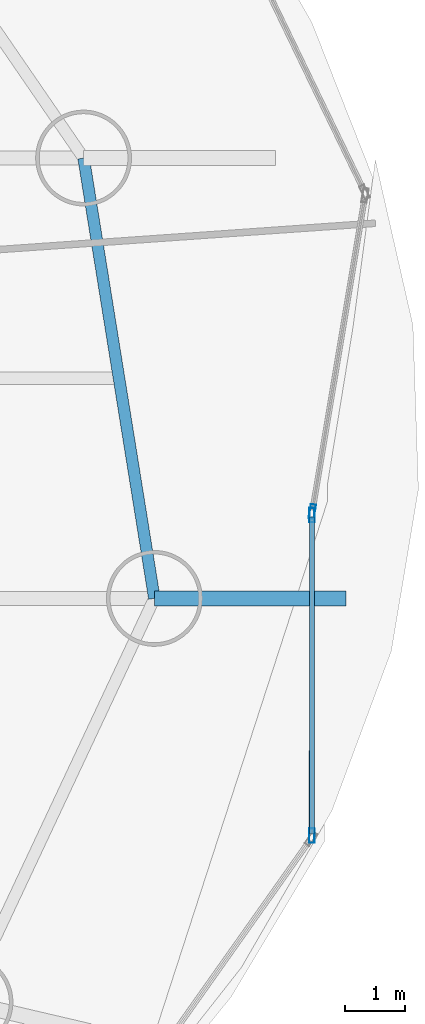
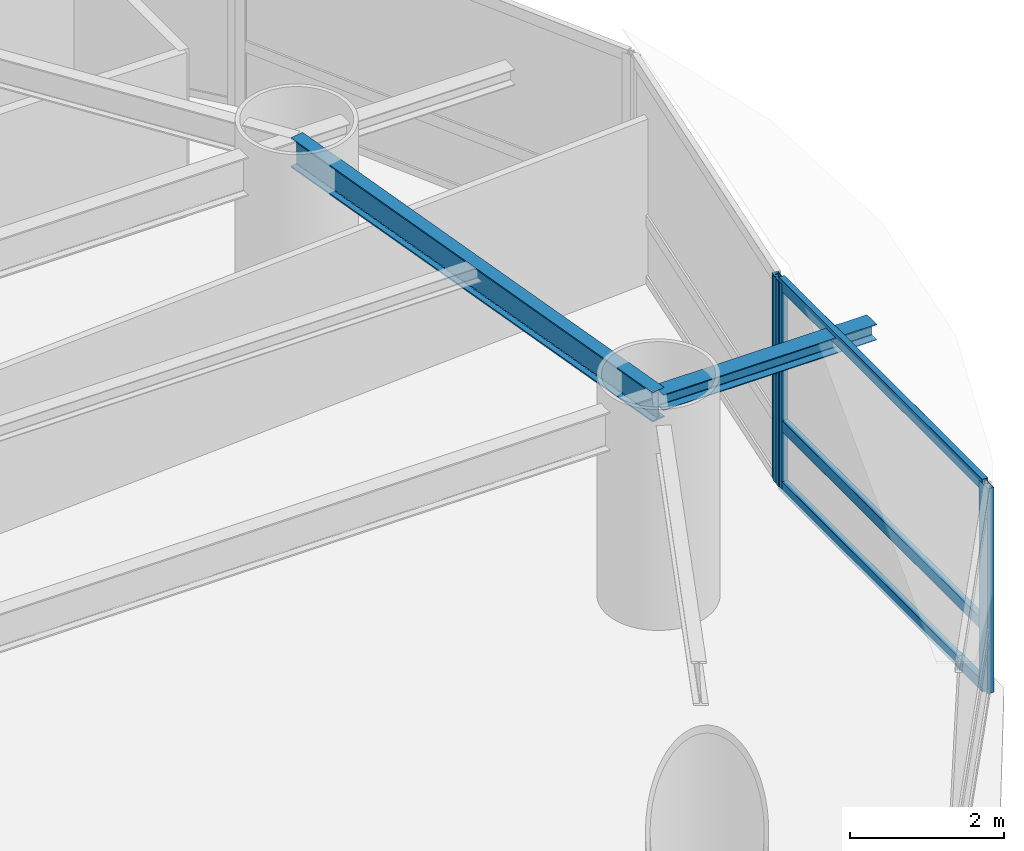
# One storey, part 10 of 25: 6 members, 2 beams, 2 elements without a shape of their own.
"""IFC4 building model written with IfcOpenShell, lengths in metres."""

from ifc_helpers import new_model, si_unit, direction, frame, origin, origin_2d, place, context, subcontext, project, spatial, hollow_rectangle, i_section, extrude, material, layer, layer_set, material_profile, profile_set, type_object, element, aggregate, save


model = new_model("IFC4")

# Units and contexts
model_context = context("Model", 3, precision=1e-05, world=origin(), true_north=direction((0.0, 1.0)))
body_context = subcontext(model_context, "Body", "Model", "MODEL_VIEW")
ifc_project = project(units=[si_unit("LENGTHUNIT", "METRE"), si_unit("AREAUNIT", "SQUARE_METRE"), si_unit("VOLUMEUNIT", "CUBIC_METRE"), si_unit("PLANEANGLEUNIT", "RADIAN"), si_unit("MASSUNIT", "GRAM", prefix="KILO")], contexts=[model_context])

# Site, building, storey
site_placement = place(None, origin())
site = spatial("IfcSite", under=ifc_project, at=site_placement, CompositionType="ELEMENT")
building_placement = place(site_placement, origin())
building = spatial("IfcBuilding", under=site, at=building_placement, Name="Bramvorn Convention Spire", CompositionType="ELEMENT")
storey_placement = place(building_placement, frame((0.0, 0.0, 55.39990234375)))
storey = spatial("IfcBuildingStorey", under=building, at=storey_placement, Name="L11", CompositionType="ELEMENT", Elevation=55.39990234375)

# Beams
ifc_material_1 = material(Name="Steel CSA G40.21 Grade 350 (350W)", Category="steel")
ifc_material_profile_1 = material_profile(ifc_material_1, i_section(OverallWidth=0.25390625, OverallDepth=0.2529296875, WebThickness=0.008544921875, FlangeThickness=0.01416015625, FilletRadius=0.011962890625, at=origin_2d()))
ifc_profile_set_1 = profile_set([ifc_material_profile_1], Name="Steel CSA G40.21 Grade 350 (350W) - W250X73")
beam_type_1 = type_object("IfcBeamType", Name="BM-W250X73", PredefinedType="BEAM", material=ifc_profile_set_1)
beam_1_placement = place(storey_placement, frame((66.519775390625, 21.99169921875, 3.12353515625), z_axis=(1.0, 0.0, 0.0), x_axis=(0.0, 1.0, 0.0)))
element("IfcBeam", 1, at=beam_1_placement, inside=storey, type_object=beam_type_1, Name="L11 slab-edge cantilever tip beam MC01", PredefinedType="BEAM", context=body_context, shape_type="SweptSolid", body=[
    extrude(i_section(OverallWidth=0.25390625, OverallDepth=0.2529296875, WebThickness=0.008544921875, FlangeThickness=0.01416015625, FilletRadius=0.011962890625, at=origin_2d()), origin(), (0.0, 0.0, 1.0), 3.199951171875),
])
ifc_material_profile_2 = material_profile(ifc_material_1, i_section(OverallWidth=0.194091796875, OverallDepth=0.468994140625, WebThickness=0.0126953125, FlangeThickness=0.0205078125, FilletRadius=0.01806640625, at=origin_2d()))
ifc_profile_set_2 = profile_set([ifc_material_profile_2], Name="Steel CSA G40.21 Grade 350 (350W) - W460X106")
beam_type_2 = type_object("IfcBeamType", Name="BM-W460X106", PredefinedType="SPANDREL", material=ifc_profile_set_2)
beam_2_placement = place(storey_placement, frame((66.519775390625, 21.99169921875, 3.015625), z_axis=(-0.158699222824, 0.987326975563, 0.0), x_axis=(-0.987326975563, -0.158699222824, 0.0)))
element("IfcBeam", 2, at=beam_2_placement, inside=storey, type_object=beam_type_2, Name="L11 mega-column ring beam 01", PredefinedType="SPANDREL", context=body_context, shape_type="SweptSolid", body=[
    extrude(i_section(OverallWidth=0.194091796875, OverallDepth=0.468994140625, WebThickness=0.0126953125, FlangeThickness=0.0205078125, FilletRadius=0.01806640625, at=origin_2d()), origin(), (0.0, 0.0, 1.0), 7.442626953125),
])

# Curtain wall, member
ifc_material_2 = material(Name="Anodised Bronze Unitised Curtain Wall", Category="aluminium")
ifc_layer = layer(ifc_material_2, 0.219970703125)
ifc_layer_set = layer_set([ifc_layer], Name="Anodised Bronze Unitised Curtain Wall - CW-SKYGARDEN")
curtain_wall_type = type_object("IfcCurtainWallType", Name="CW-SKYGARDEN", PredefinedType="USERDEFINED", material=ifc_layer_set)
curtain_wall_1_placement = place(storey_placement, origin())
curtain_wall_1 = element("IfcCurtainWall", 3, at=curtain_wall_1_placement, inside=storey, type_object=curtain_wall_type, Name="L11 Sky Garden glazed facade 01", ObjectType="WINTER GARDEN GLAZING", PredefinedType="USERDEFINED")
ifc_material_3 = material(Name="Anodised Bronze Aluminium 6063-T6", Category="aluminium")
ifc_material_profile_3 = material_profile(ifc_material_3, hollow_rectangle(XDim=0.090087890625, YDim=0.239990234375, WallThickness=0.00439453125, InnerFilletRadius=0.0009765625, OuterFilletRadius=0.00439453125, at=origin_2d()))
ifc_profile_set_3 = profile_set([ifc_material_profile_3], Name="Anodised Bronze Aluminium 6063-T6 - CWM90X240")
member_type_1 = type_object("IfcMemberType", Name="CW-MUL-220", PredefinedType="MULLION", material=ifc_profile_set_3)
member_1_placement = place(storey_placement, frame((69.156005859375, 23.441162109375, 0.0), z_axis=(0.0, 0.0, 1.0), x_axis=(0.986356926215, -0.164620819183, 0.0)))
member_1 = element("IfcMember", 4, at=member_1_placement, type_object=member_type_1, Name="CW4 mullion 2", PredefinedType="MULLION", context=body_context, shape_type="SweptSolid", body=[
    extrude(hollow_rectangle(XDim=0.090087890625, YDim=0.239990234375, WallThickness=0.00439453125, InnerFilletRadius=0.0009765625, OuterFilletRadius=0.00439453125, at=origin_2d()), origin(), (0.0, 0.0, 1.0), 3.25),
])
aggregate(curtain_wall_1, [member_1])

# Curtain wall, members
curtain_wall_2_placement = place(storey_placement, origin())
curtain_wall_2 = element("IfcCurtainWall", 5, at=curtain_wall_2_placement, inside=storey, type_object=curtain_wall_type, Name="L11 Sky Garden glazed facade 24", ObjectType="WINTER GARDEN GLAZING", PredefinedType="USERDEFINED")
member_2_placement = place(storey_placement, frame((69.15087890625, 23.381591796875, 0.0), z_axis=(0.0, 0.0, 1.0), x_axis=(0.999999901581, -0.000443663886, 0.0)))
member_2 = element("IfcMember", 6, at=member_2_placement, type_object=member_type_1, Name="CW4 mullion 1", PredefinedType="MULLION", context=body_context, shape_type="SweptSolid", body=[
    extrude(hollow_rectangle(XDim=0.090087890625, YDim=0.239990234375, WallThickness=0.00439453125, InnerFilletRadius=0.0009765625, OuterFilletRadius=0.00439453125, at=origin_2d()), origin(), (0.0, 0.0, 1.0), 3.25),
])
member_3_placement = place(storey_placement, frame((69.148681640625, 18.031982421875, 0.0), z_axis=(0.0, 0.0, 1.0), x_axis=(0.999999901581, -0.000443663886, 0.0)))
member_3 = element("IfcMember", 7, at=member_3_placement, type_object=member_type_1, Name="CW4 mullion 2", PredefinedType="MULLION", context=body_context, shape_type="SweptSolid", body=[
    extrude(hollow_rectangle(XDim=0.090087890625, YDim=0.239990234375, WallThickness=0.00439453125, InnerFilletRadius=0.0009765625, OuterFilletRadius=0.00439453125, at=origin_2d()), origin(), (0.0, 0.0, 1.0), 3.25),
])
ifc_material_profile_4 = material_profile(ifc_material_3, hollow_rectangle(XDim=0.090087890625, YDim=0.179931640625, WallThickness=0.00439453125, InnerFilletRadius=0.0009765625, OuterFilletRadius=0.00439453125, at=origin_2d()))
ifc_profile_set_4 = profile_set([ifc_material_profile_4], Name="Anodised Bronze Aluminium 6063-T6 - CWT90X180")
member_type_2 = type_object("IfcMemberType", Name="CW-TRN-180", PredefinedType="USERDEFINED", material=ifc_profile_set_4)
member_4_placement = place(storey_placement, frame((69.15087890625, 23.3515625, 0.030029296875), z_axis=(-0.000415397361, -0.999999913723, 0.0), x_axis=(0.999999913723, -0.000415397361, 0.0)))
member_4 = element("IfcMember", 8, at=member_4_placement, type_object=member_type_2, Name="CW4 transom 1.1", ObjectType="TRANSOM", PredefinedType="USERDEFINED", context=body_context, shape_type="SweptSolid", body=[
    extrude(hollow_rectangle(XDim=0.090087890625, YDim=0.179931640625, WallThickness=0.00439453125, InnerFilletRadius=0.0009765625, OuterFilletRadius=0.00439453125, at=origin_2d()), origin(), (0.0, 0.0, 1.0), 5.28955078125),
])
member_5_placement = place(storey_placement, frame((69.15087890625, 23.3515625, 1.0), z_axis=(-0.000415397361, -0.999999913723, 0.0), x_axis=(0.999999913723, -0.000415397361, 0.0)))
member_5 = element("IfcMember", 9, at=member_5_placement, type_object=member_type_2, Name="CW4 transom 1.2", ObjectType="TRANSOM", PredefinedType="USERDEFINED", context=body_context, shape_type="SweptSolid", body=[
    extrude(hollow_rectangle(XDim=0.090087890625, YDim=0.179931640625, WallThickness=0.00439453125, InnerFilletRadius=0.0009765625, OuterFilletRadius=0.00439453125, at=origin_2d()), origin(), (0.0, 0.0, 1.0), 5.28955078125),
])
member_6_placement = place(storey_placement, frame((69.15087890625, 23.3515625, 3.22021484375), z_axis=(-0.000415397361, -0.999999913723, 0.0), x_axis=(0.999999913723, -0.000415397361, 0.0)))
member_6 = element("IfcMember", 10, at=member_6_placement, type_object=member_type_2, Name="CW4 transom 1.3", ObjectType="TRANSOM", PredefinedType="USERDEFINED", context=body_context, shape_type="SweptSolid", body=[
    extrude(hollow_rectangle(XDim=0.090087890625, YDim=0.179931640625, WallThickness=0.00439453125, InnerFilletRadius=0.0009765625, OuterFilletRadius=0.00439453125, at=origin_2d()), origin(), (0.0, 0.0, 1.0), 5.28955078125),
])
aggregate(curtain_wall_2, [member_2, member_3, member_4, member_5, member_6])

save(model, "model.ifc")
